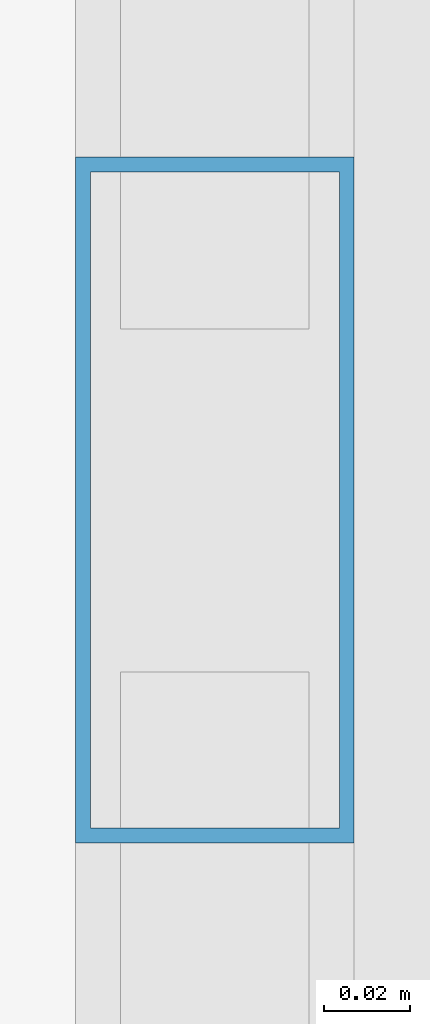
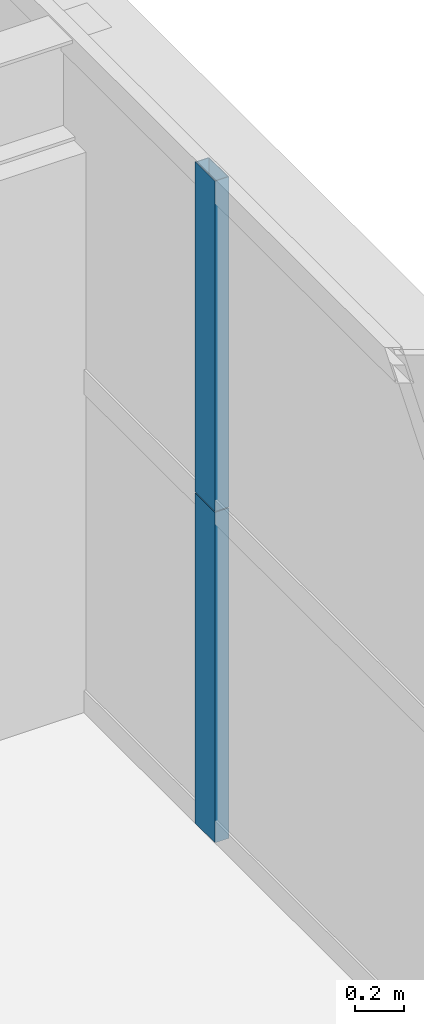
# One storey, part 18 of 38: 2 members, 1 element without a shape of its own.
"""IFC4 building model written with IfcOpenShell, lengths in metres."""

import ifcopenshell
import ifcopenshell.guid

model = None  # the IFC model being written
_history = None  # IfcOwnerHistory: only IFC2X3 demands one
_inside = {}  # id of a spatial element -> (the spatial element, [elements in it])
_under = {}  # id of a project, library or spatial element -> (it, [spatial elements below it])
_declared = {}  # id of a project -> (the project, [libraries it declares])
_typed = {}  # id of a type object -> (the type object, [elements of that type])
_made_of = {}  # id of a material, layer set ... -> (it, [elements and type objects made of it])


def new_model(schema):
    """Start an empty IFC model of exactly this schema.

    Asked for "IFC4X3", IfcOpenShell would pick the latest addendum, in which some entities
    have other attributes; the version numbers below select the first issue.
    IFC2X3 requires an IfcOwnerHistory on every rooted entity: one is made here for all.
    """
    global model, _history
    if schema == "IFC4X3":
        model = ifcopenshell.file(schema_version=(4, 3, 0, 0))
    else:
        model = ifcopenshell.file(schema=schema)
    _inside.clear()
    _under.clear()
    _declared.clear()
    _typed.clear()
    _made_of.clear()
    _history = None
    if model.schema == "IFC2X3":
        org = make("IfcOrganization", Name="unknown")
        user = make(
            "IfcPersonAndOrganization",
            ThePerson=make("IfcPerson", FamilyName="unknown"),
            TheOrganization=org,
        )
        app = make(
            "IfcApplication",
            ApplicationDeveloper=org,
            Version="unknown",
            ApplicationFullName="unknown",
            ApplicationIdentifier="unknown",
        )
        _history = make(
            "IfcOwnerHistory",
            OwningUser=user,
            OwningApplication=app,
            ChangeAction="ADDED",
            CreationDate=0,
        )
    return model


def make(cls, **values):
    """One entity of the class cls with the attributes given. An attribute that is None is left unset."""
    return model.create_entity(
        cls, **{name: value for name, value in values.items() if value is not None}
    )


def rooted(cls, **values):
    """An entity with a GlobalId (a new one), such as an element, a storey or a relation."""
    return make(cls, GlobalId=ifcopenshell.guid.new(), OwnerHistory=_history, **values)


def si_unit(unit_type, name, prefix=None):
    """IfcSIUnit, for example si_unit("LENGTHUNIT", "METRE", prefix="MILLI")."""
    return make("IfcSIUnit", UnitType=unit_type, Prefix=prefix, Name=name)


def assignment(units):
    """IfcUnitAssignment: the units of a project."""
    return None if units is None else make("IfcUnitAssignment", Units=units)


def point(xyz):
    """IfcCartesianPoint."""
    return None if xyz is None else make("IfcCartesianPoint", Coordinates=xyz)


def direction(xyz):
    """IfcDirection."""
    return None if xyz is None else make("IfcDirection", DirectionRatios=xyz)


def frame(location, z_axis=None, x_axis=None):
    """IfcAxis2Placement3D, a coordinate frame: its origin and axes. An axis left out is left unset."""
    return make(
        "IfcAxis2Placement3D",
        Location=point(location),
        Axis=direction(z_axis),
        RefDirection=direction(x_axis),
    )


def frame_2d(location, x_axis=None):
    """IfcAxis2Placement2D, a coordinate frame in the plane: its origin and x axis."""
    return make(
        "IfcAxis2Placement2D", Location=point(location), RefDirection=direction(x_axis)
    )


def origin():
    """The frame at (0, 0, 0) with its axes left unset."""
    return frame((0.0, 0.0, 0.0))


def origin_2d():
    """The frame at (0, 0) in the plane with its x axis left unset."""
    return frame_2d((0.0, 0.0))


def place(relative_to, where):
    """IfcLocalPlacement: puts the frame where relative to a parent placement (None: the world)."""
    return make(
        "IfcLocalPlacement", PlacementRelTo=relative_to, RelativePlacement=where
    )


def context(
    kind, dimensions, precision=None, world=None, true_north=None, identifier=None
):
    """IfcGeometricRepresentationContext, for example the 3D "Model" context."""
    return make(
        "IfcGeometricRepresentationContext",
        ContextIdentifier=identifier,
        ContextType=kind,
        CoordinateSpaceDimension=dimensions,
        Precision=precision,
        WorldCoordinateSystem=world,
        TrueNorth=true_north,
    )


def subcontext(parent, identifier, kind, view, scale=None):
    """IfcGeometricRepresentationSubContext, for example "Body" below "Model"."""
    return make(
        "IfcGeometricRepresentationSubContext",
        ContextIdentifier=identifier,
        ContextType=kind,
        ParentContext=parent,
        TargetScale=scale,
        TargetView=view,
    )


def project(units=None, contexts=None):
    """IfcProject with its units and contexts."""
    return rooted(
        "IfcProject",
        Name="project",
        RepresentationContexts=contexts,
        UnitsInContext=assignment(units),
    )


def spatial(cls, under=None, at=None, **own):
    """A site, building, storey or space (cls), placed at a placement, below another one or the project."""
    s = rooted(cls, ObjectPlacement=at, **own)
    if under is not None:
        _under.setdefault(under.id(), (under, []))[1].append(s)
    return s


def profile(cls, at=None, kind="AREA", **sizes):
    """A parametric profile (cls). Its sizes go by their IFC names, for example OverallWidth=200.0."""
    return make(cls, ProfileType=kind, Position=at, **sizes)


def hollow_rectangle(**sizes):
    """IfcRectangleHollowProfileDef."""
    return profile("IfcRectangleHollowProfileDef", **sizes)


def extrude(swept, where, along, depth):
    """IfcExtrudedAreaSolid: the profile swept, set in the frame where, extruded along a direction by depth."""
    return make(
        "IfcExtrudedAreaSolid",
        SweptArea=swept,
        Position=where,
        ExtrudedDirection=direction(along),
        Depth=depth,
    )


def shape(context_of_items, identifier, shape_type, items):
    """IfcShapeRepresentation: the items that make up one representation, for example the "Body"."""
    return make(
        "IfcShapeRepresentation",
        ContextOfItems=context_of_items,
        RepresentationIdentifier=identifier,
        RepresentationType=shape_type,
        Items=items,
    )


def source(mapping_origin, context_of_items, identifier, shape_type, items):
    """IfcRepresentationMap: a shape defined once, which mapped items show again and again."""
    return make(
        "IfcRepresentationMap",
        MappingOrigin=mapping_origin,
        MappedRepresentation=shape(context_of_items, identifier, shape_type, items),
    )


def transform(
    local_origin,
    x_axis=None,
    y_axis=None,
    z_axis=None,
    scale=None,
    scale2=None,
    scale3=None,
    uniform=True,
):
    """IfcCartesianTransformationOperator3D, or its non-uniform kind. x_axis, y_axis, z_axis: its Axis1, 2, 3."""
    if uniform:
        return make(
            "IfcCartesianTransformationOperator3D",
            Axis1=direction(x_axis),
            Axis2=direction(y_axis),
            LocalOrigin=point(local_origin),
            Scale=scale,
            Axis3=direction(z_axis),
        )
    return make(
        "IfcCartesianTransformationOperator3DnonUniform",
        Axis1=direction(x_axis),
        Axis2=direction(y_axis),
        LocalOrigin=point(local_origin),
        Scale=scale,
        Axis3=direction(z_axis),
        Scale2=scale2,
        Scale3=scale3,
    )


def mapped(mapping_source, mapping_target):
    """IfcMappedItem: shows the shape of a source again, moved by a transform."""
    return make(
        "IfcMappedItem", MappingSource=mapping_source, MappingTarget=mapping_target
    )


def material(Name=None, Category=None):
    """IfcMaterial."""
    return make("IfcMaterial", Name=Name, Category=Category)


def layer(
    of_material, thickness, ventilated=None, Name=None, Category=None, Priority=None
):
    """IfcMaterialLayer: one layer of a wall or slab, of a material (None: an air gap)."""
    return make(
        "IfcMaterialLayer",
        Material=of_material,
        LayerThickness=thickness,
        IsVentilated=ventilated,
        Name=Name,
        Category=Category,
        Priority=Priority,
    )


def layer_set(layers, Name=None):
    """IfcMaterialLayerSet."""
    return make("IfcMaterialLayerSet", MaterialLayers=layers, LayerSetName=Name)


def material_profile(
    of_material, cross_section, Name=None, Category=None, Priority=None
):
    """IfcMaterialProfile: a cross section and its material."""
    return make(
        "IfcMaterialProfile",
        Name=Name,
        Material=of_material,
        Profile=cross_section,
        Priority=Priority,
        Category=Category,
    )


def profile_set(profiles, Name=None, composite=None):
    """IfcMaterialProfileSet."""
    return make(
        "IfcMaterialProfileSet",
        Name=Name,
        MaterialProfiles=profiles,
        CompositeProfile=composite,
    )


def made_of(thing, what):
    """Note that an element or type object is made of a material, layer set ...; save() writes the relation."""
    if what is not None:
        _made_of.setdefault(what.id(), (what, []))[1].append(thing)
    return thing


def type_object(cls, material=None, **own):
    """A type object (cls), such as IfcWallType, which elements share."""
    return made_of(rooted(cls, **own), material)


def element(
    cls,
    number,
    at=None,
    inside=None,
    cuts=None,
    type_object=None,
    material=None,
    context=None,
    identifier="Body",
    shape_type=None,
    held_by="IfcProductDefinitionShape",
    body=None,
    shapes=None,
    **own,
):
    """One element of the class cls, such as IfcWall. Its Tag is "e" and its number.

    at: its placement. inside: the storey or other place that contains it. cuts: it is an
    opening in that element (IfcRelVoidsElement). A single representation is given by context,
    identifier, shape_type and body (its items); several are given by shapes. held_by: the class
    of the entity that holds the representations. save() writes the other relations.
    """
    e = rooted(cls, Tag="e%d" % number, ObjectPlacement=at, **own)
    if body is not None:
        shapes = [shape(context, identifier, shape_type, body)]
    if shapes is not None:
        e.Representation = make(held_by, Representations=shapes)
    if inside is not None:
        _inside.setdefault(inside.id(), (inside, []))[1].append(e)
    if cuts is not None:
        rooted(
            "IfcRelVoidsElement", RelatingBuildingElement=cuts, RelatedOpeningElement=e
        )
    if type_object is not None:
        _typed.setdefault(type_object.id(), (type_object, []))[1].append(e)
    return made_of(e, material)


def aggregate(whole, parts):
    """IfcRelAggregates: a whole, such as a stair, and the parts it consists of."""
    return rooted("IfcRelAggregates", RelatingObject=whole, RelatedObjects=parts)


def save(model, path):
    """Write the relations noted so far, then the file.

    IfcRelAggregates (storeys below a building ...), IfcRelContainedInSpatialStructure (elements
    in a storey), IfcRelDefinesByType, IfcRelAssociatesMaterial and IfcRelDeclares: one each for
    every whole, place, type object, material and project.
    """
    for whole, parts in _under.values():
        aggregate(whole, parts)
    for where, things in _inside.values():
        rooted(
            "IfcRelContainedInSpatialStructure",
            RelatedElements=things,
            RelatingStructure=where,
        )
    for kind, things in _typed.values():
        rooted("IfcRelDefinesByType", RelatedObjects=things, RelatingType=kind)
    for what, things in _made_of.values():
        rooted("IfcRelAssociatesMaterial", RelatedObjects=things, RelatingMaterial=what)
    for by, libraries in _declared.values():
        rooted("IfcRelDeclares", RelatingContext=by, RelatedDefinitions=libraries)
    model.write(path)


model = new_model("IFC4")

# Units and contexts
model_context = context("Model", 3, precision=1e-05, world=origin(), true_north=direction((0.0, 1.0)))
body_context = subcontext(model_context, "Body", "Model", "MODEL_VIEW")
ifc_project = project(units=[si_unit("LENGTHUNIT", "METRE"), si_unit("AREAUNIT", "SQUARE_METRE"), si_unit("VOLUMEUNIT", "CUBIC_METRE"), si_unit("PLANEANGLEUNIT", "RADIAN"), si_unit("MASSUNIT", "GRAM", prefix="KILO"), si_unit("THERMODYNAMICTEMPERATUREUNIT", "KELVIN"), si_unit("POWERUNIT", "WATT")], contexts=[model_context])

# Site, building, storey
site_placement = place(None, origin())
site = spatial("IfcSite", under=ifc_project, at=site_placement, CompositionType="ELEMENT")
building_placement = place(site_placement, origin())
building = spatial("IfcBuilding", under=site, at=building_placement, Name="Yuzanri Waterfront Tower", CompositionType="ELEMENT")
storey_placement = place(building_placement, frame((0.0, 0.0, 195.0)))
storey = spatial("IfcBuildingStorey", under=building, at=storey_placement, Name="L51", CompositionType="ELEMENT", Elevation=195.0)

# Curtain wall, members
ifc_material_1 = material(Name="Anodized Architectural Bronze", Category="metal")
ifc_layer = layer(ifc_material_1, 0.159912109375)
ifc_layer_set = layer_set([ifc_layer], Name="Anodized Architectural Bronze")
curtain_wall_type = type_object("IfcCurtainWallType", Name="Anodized Bronze Mid-Rise Residential Acoustic Unitized Curtain Wall 7200", PredefinedType="NOTDEFINED", material=ifc_layer_set)
curtain_wall_placement = place(storey_placement, origin())
curtain_wall = element("IfcCurtainWall", 1, at=curtain_wall_placement, inside=storey, type_object=curtain_wall_type, Name="L51 Curtain Wall CW-L51-EL", PredefinedType="NOTDEFINED")
ifc_material_2 = material(Name="Anodized Architectural Bronze", Category="metal")
ifc_material_profile = material_profile(ifc_material_2, hollow_rectangle(XDim=0.06494140625, YDim=0.159912109375, WallThickness=0.00341796875, at=origin_2d()), Name="CWM 65x160")
ifc_profile_set = profile_set([ifc_material_profile], Name="Anodized Architectural Bronze")
member_type = type_object("IfcMemberType", Name="Anodized Bronze Upper-Zone Curtain-Wall Mullion 65x160", PredefinedType="MULLION", material=ifc_profile_set)
shared_shape = source(origin(), body_context, "Body", "SweptSolid", [
    extrude(hollow_rectangle(XDim=0.06494140625, YDim=0.159912109375, WallThickness=0.00341796875, at=origin_2d()), origin(), (0.0, 0.0, 1.0), 1.637939453125),
])
member_1_placement = place(storey_placement, frame((58.949951171875, 18.22509765625, 0.0), z_axis=(0.0, 0.0, 1.0), x_axis=(1.0, 0.0, 0.0)))
member_1 = element("IfcMember", 2, at=member_1_placement, type_object=member_type, Name="CW-L51-EL Lower Mullion 01", PredefinedType="MULLION", context=body_context, shape_type="MappedRepresentation", body=[
    mapped(shared_shape, transform((0.0, 0.0, 0.0), scale=1.0)),
])
member_2_placement = place(storey_placement, frame((58.949951171875, 18.22509765625, 1.64208984375), z_axis=(0.0, 0.0, 1.0), x_axis=(1.0, 0.0, 0.0)))
member_2 = element("IfcMember", 3, at=member_2_placement, type_object=member_type, Name="CW-L51-EL Upper Mullion 01", PredefinedType="MULLION", context=body_context, shape_type="MappedRepresentation", body=[
    mapped(shared_shape, transform((0.0, 0.0, 0.0), scale=1.0)),
])
aggregate(curtain_wall, [member_1, member_2])

save(model, "model.ifc")
